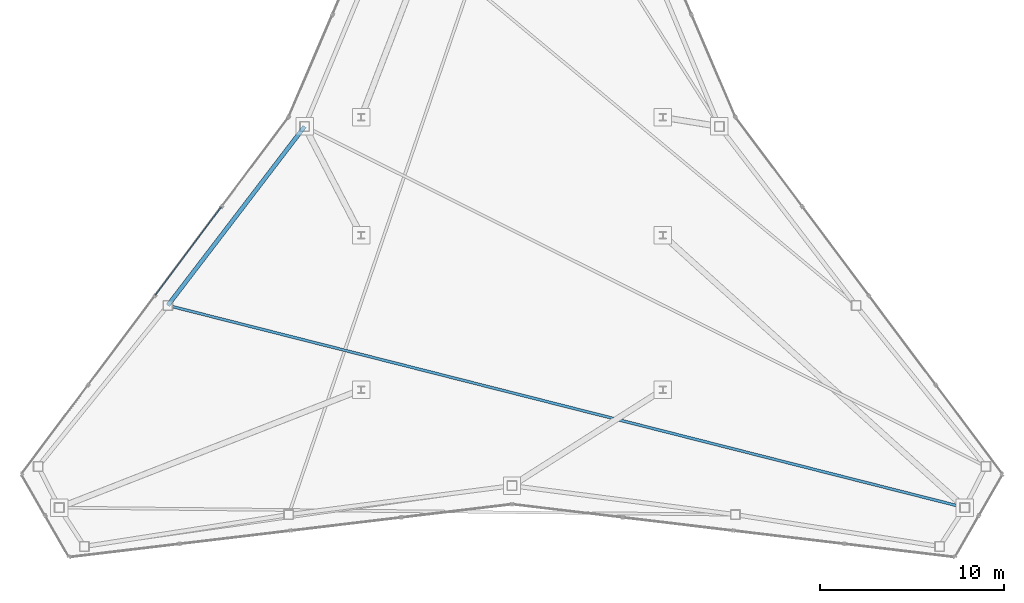
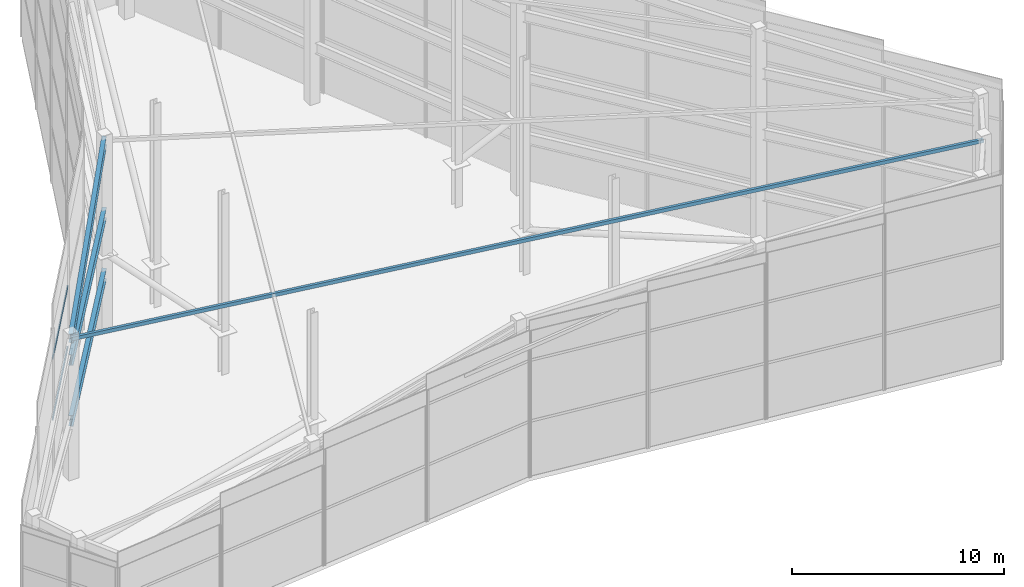
# One storey, part 5 of 17: 3 beams, 3 members, 1 element without a shape of its own.
"""IFC4 building model written with IfcOpenShell, lengths in metres."""

from ifc_helpers import new_model, si_unit, direction, frame, origin, origin_2d, place, context, subcontext, project, spatial, rectangle, hollow_rectangle, i_section, extrude, source, transform, mapped, material, layer, layer_set, material_profile, profile_set, type_object, type_shapes, element, aggregate, save


model = new_model("IFC4")

# Units and contexts
model_context = context("Model", 3, precision=1e-05, world=origin(), true_north=direction((0.0, 1.0)))
body_context = subcontext(model_context, "Body", "Model", "MODEL_VIEW")
ifc_project = project(units=[si_unit("LENGTHUNIT", "METRE"), si_unit("AREAUNIT", "SQUARE_METRE"), si_unit("VOLUMEUNIT", "CUBIC_METRE"), si_unit("PLANEANGLEUNIT", "RADIAN"), si_unit("MASSUNIT", "GRAM", prefix="KILO")], contexts=[model_context])

# Site, building, storey
site_placement = place(None, origin())
site = spatial("IfcSite", under=ifc_project, at=site_placement, CompositionType="ELEMENT")
building_placement = place(site_placement, origin())
building = spatial("IfcBuilding", under=site, at=building_placement, Name="Varakhsha Concourse Tower", CompositionType="ELEMENT")
storey_placement = place(building_placement, frame((0.0, 0.0, 294.800048828125)))
storey = spatial("IfcBuildingStorey", under=building, at=storey_placement, Name="RF", CompositionType="ELEMENT", Elevation=294.800048828125)

# Beams
ifc_material_1 = material(Name="Structural Steel ASTM A992 Grade 50", Category="steel")
ifc_material_profile_1 = material_profile(ifc_material_1, i_section(OverallWidth=0.22900390625, OverallDepth=0.612060546875, WebThickness=0.011962890625, FlangeThickness=0.02001953125, at=origin_2d()), Name="W24X84")
ifc_profile_set_1 = profile_set([ifc_material_profile_1], Name="Structural Steel ASTM A992 Grade 50")
beam_type = type_object("IfcBeamType", Name="BM-CROWN-W24X84", PredefinedType="BEAM", material=ifc_profile_set_1)
beam_placement = place(storey_placement, frame((28.728759765625, 30.70751953125, 10.856689453125), z_axis=(-0.590735850118, -0.772909636863, -0.231607099698), x_axis=(0.794512910357, -0.60724726041, 0.0)))
element("IfcBeam", 1, at=beam_placement, inside=storey, type_object=beam_type, Name="Crown Frame Sloped Cap Ring 05", PredefinedType="BEAM", context=body_context, shape_type="SweptSolid", body=[
    extrude(i_section(OverallWidth=0.22900390625, OverallDepth=0.612060546875, WebThickness=0.011962890625, FlangeThickness=0.02001953125, at=origin_2d()), origin(), (0.0, 0.0, 1.0), 12.583984375),
])
for number, where, z_axis, x_axis, name in (
    (2, (28.728759765625, 30.70751953125, 3.199951171875), (-0.60724726041, -0.794512910357, 0.0), (0.794512910357, -0.60724726041, 0.0), "Crown Frame Ring Tier 1 05"),
    (3, (28.728759765625, 30.70751953125, 6.699951171875), (-0.60724726041, -0.794512910357, 0.0), (0.794512910357, -0.60724726041, 0.0), "Crown Frame Ring Tier 2 05"),
):
    element("IfcBeam", number, at=place(storey_placement, frame(where, z_axis=z_axis, x_axis=x_axis)), inside=storey, type_object=beam_type, Name=name, PredefinedType="BEAM", context=body_context, shape_type="SweptSolid", body=[
        extrude(i_section(OverallWidth=0.22900390625, OverallDepth=0.612060546875, WebThickness=0.011962890625, FlangeThickness=0.02001953125, at=origin_2d()), origin(), (0.0, 0.0, 1.0), 12.241943359375),
    ])

# Member
ifc_material_2 = material(Name="Structural Steel ASTM A500 Grade C", Category="steel")
ifc_material_profile_2 = material_profile(ifc_material_2, hollow_rectangle(XDim=0.14990234375, YDim=0.199951171875, WallThickness=0.010009765625, at=origin_2d()), Name="HSS 200x150x10")
ifc_profile_set_2 = profile_set([ifc_material_profile_2], Name="Structural Steel ASTM A500 Grade C")
member_type_1 = type_object("IfcMemberType", Name="MB-CROWN-PURLIN", PredefinedType="PURLIN", material=ifc_profile_set_2)
shared_shape_1 = source(origin(), body_context, "Body", "SweptSolid", [
    extrude(hollow_rectangle(XDim=0.14990234375, YDim=0.199951171875, WallThickness=0.010009765625, at=origin_2d()), origin(), (0.0, 0.0, 1.0), 44.781982421875),
])
type_shapes(member_type_1, [shared_shape_1])
member_1_placement = place(storey_placement, frame((21.294921875, 20.981201171875, 7.942138671875), z_axis=(0.967234726697, -0.245400027916, 0.065083098955), x_axis=(0.245921418805, 0.969289768734, 0.0)))
element("IfcMember", 4, at=member_1_placement, inside=storey, type_object=member_type_1, Name="Slanted Crown Roof Purlin PR05", PredefinedType="PURLIN", context=body_context, shape_type="MappedRepresentation", body=[
    mapped(shared_shape_1, transform((0.0, 0.0, 0.0), scale=1.0)),
])

# Curtain wall, members
ifc_material_3 = material(Name="Anodised Bronze Architectural Aluminium AA 6063-T6", Category="aluminium")
ifc_layer = layer(ifc_material_3, 0.219970703125, Name="CW-SYS-07")
ifc_layer_set = layer_set([ifc_layer], Name="Anodised Bronze Architectural Aluminium AA 6063-T6")
curtain_wall_type = type_object("IfcCurtainWallType", Name="CW-SYS-07", PredefinedType="NOTDEFINED", material=ifc_layer_set)
curtain_wall_placement = place(storey_placement, origin())
curtain_wall = element("IfcCurtainWall", 5, at=curtain_wall_placement, inside=storey, type_object=curtain_wall_type, Name="Slanted Crown Curtain Wall F3-S2", PredefinedType="NOTDEFINED")
ifc_material_profile_3 = material_profile(ifc_material_3, rectangle(XDim=0.06005859375, YDim=0.139892578125, at=origin_2d()), Name="CWT-140X60")
ifc_profile_set_3 = profile_set([ifc_material_profile_3], Name="Anodised Bronze Architectural Aluminium AA 6063-T6")
member_type_2 = type_object("IfcMemberType", Name="CWT-140X60", PredefinedType="USERDEFINED", material=ifc_profile_set_3)
shared_shape_2 = source(origin(), body_context, "Body", "SweptSolid", [
    extrude(rectangle(XDim=0.06005859375, YDim=0.139892578125, at=origin_2d()), origin(), (0.0, 0.0, 1.0), 5.960693359375),
])
type_shapes(member_type_2, [shared_shape_2])
member_2_placement = place(storey_placement, frame((20.620361328125, 21.54833984375, 3.199951171875), z_axis=(0.599108358218, 0.800667955593, 0.0), x_axis=(-0.800667955593, 0.599108358218, 0.0)))
member_2 = element("IfcMember", 6, at=member_2_placement, type_object=member_type_2, Name="CW-RF-F3S2 Transom 01", ObjectType="TRANSOM", PredefinedType="USERDEFINED", context=body_context, shape_type="MappedRepresentation", body=[
    mapped(shared_shape_2, transform((0.0, 0.0, 0.0), scale=1.0)),
])
member_3_placement = place(storey_placement, frame((20.620361328125, 21.54833984375, 6.699951171875), z_axis=(0.599108358218, 0.800667955593, 0.0), x_axis=(-0.800667955593, 0.599108358218, 0.0)))
member_3 = element("IfcMember", 7, at=member_3_placement, type_object=member_type_2, Name="CW-RF-F3S2 Transom 02", ObjectType="TRANSOM", PredefinedType="USERDEFINED", context=body_context, shape_type="MappedRepresentation", body=[
    mapped(shared_shape_2, transform((0.0, 0.0, 0.0), scale=1.0)),
])
aggregate(curtain_wall, [member_2, member_3])

save(model, "model.ifc")
